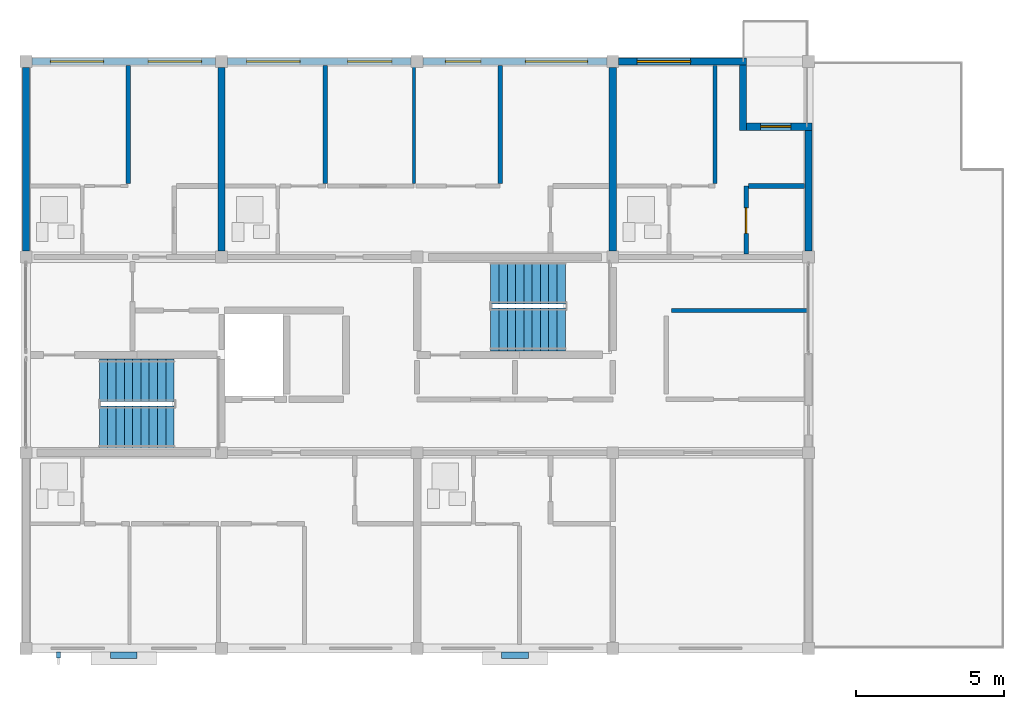
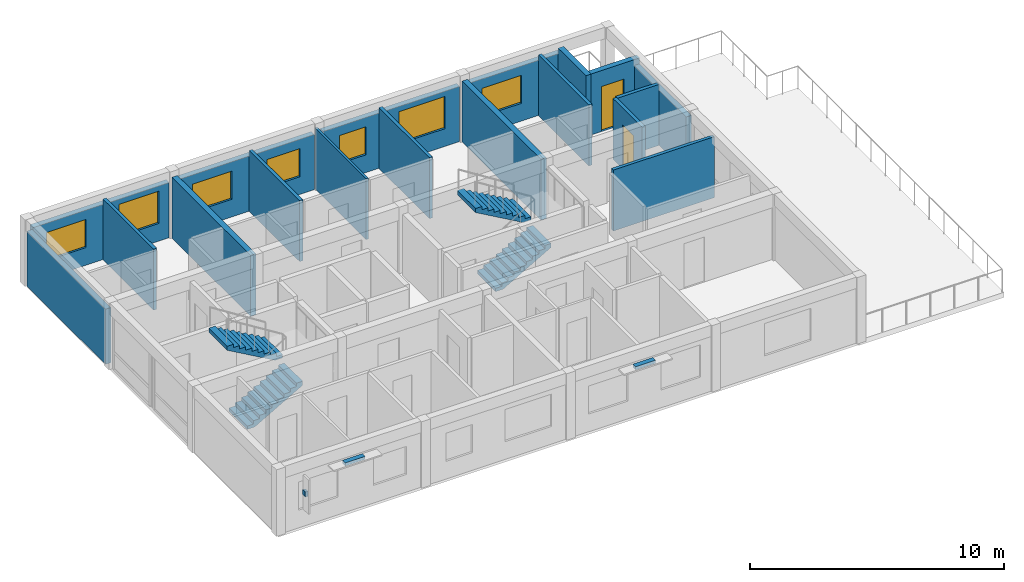
# One storey, part 10 of 12: 18 walls, 7 windows, 4 stair flights, 3 discrete accessories, 2 doors, 9 openings, 2 elements without a shape of their own.
"""IFC4 building model written with IfcOpenShell, lengths in metres."""

from ifc_helpers import new_model, si_unit, direction, frame, frame_2d, origin, origin_2d, place, context, subcontext, project, spatial, polyline, rectangle, outline, extrude, material, layer, layer_set, type_object, element, fill, aggregate, save


model = new_model("IFC4")

# Units and contexts
model_context = context("Model", 3, precision=1e-05, world=origin(), true_north=direction((0.0, 1.0)))
body_context = subcontext(model_context, "Body", "Model", "MODEL_VIEW")
ifc_project = project(units=[si_unit("LENGTHUNIT", "METRE"), si_unit("AREAUNIT", "SQUARE_METRE"), si_unit("VOLUMEUNIT", "CUBIC_METRE"), si_unit("PLANEANGLEUNIT", "RADIAN"), si_unit("MASSUNIT", "GRAM", prefix="KILO")], contexts=[model_context])

# Site, building, storey
site_placement = place(None, origin())
site = spatial("IfcSite", under=ifc_project, at=site_placement, CompositionType="ELEMENT")
building_placement = place(site_placement, origin())
building = spatial("IfcBuilding", under=site, at=building_placement, Name="Kernevlak Ridge Housing Community", CompositionType="ELEMENT")
storey_placement = place(building_placement, frame((0.0, 0.0, 56.39990234375)))
storey = spatial("IfcBuildingStorey", under=building, at=storey_placement, Name="L17", CompositionType="ELEMENT", Elevation=56.39990234375)

# Wall, openings, windows
ifc_material_1 = material(Name="Concrete block masonry M10", Category="masonry")
ifc_layer_1 = layer(ifc_material_1, 0.239990234375, Name="Concrete block masonry M10")
ifc_layer_set_1 = layer_set([ifc_layer_1], Name="Concrete block masonry M10")
wall_type_1 = type_object("IfcWallType", Name="EW-06", PredefinedType="STANDARD", material=ifc_layer_set_1)
wall_1_placement = place(storey_placement, frame((15.800048828125, 95.800048828125, 0.0), z_axis=(0.0, 0.0, 1.0), x_axis=(1.0, 0.0, 0.0)))
wall_1 = element("IfcWall", 1, at=wall_1_placement, inside=storey, type_object=wall_type_1, Name="Exterior wall EW-06 L17 273", PredefinedType="STANDARD", context=body_context, shape_type="SweptSolid", body=[
    extrude(rectangle(XDim=6.199951171875, YDim=0.239990234375, at=frame_2d((3.10009765625, 0.0))), origin(), (0.0, 0.0, 1.0), 2.650146484375),
])
opening_1_placement = place(wall_1_placement, frame((0.625, 0.0, 0.85009765625)))
opening_1 = element("IfcOpeningElement", 2, at=opening_1_placement, cuts=wall_1, Name="Opening WT-03", PredefinedType="OPENING", context=body_context, shape_type="SweptSolid", body=[
    extrude(rectangle(XDim=1.800048828125, YDim=1.35009765625, at=frame_2d((0.89990234375, 0.675048828125))), frame((0.0, 0.1298828125, 0.0), z_axis=(0.0, -1.0, 0.0), x_axis=(1.0, 0.0, 0.0)), (0.0, 0.0, 1.0), 0.260009765625),
])
opening_2_placement = place(wall_1_placement, frame((3.925048828125, 0.0, 0.85009765625)))
opening_2 = element("IfcOpeningElement", 3, at=opening_2_placement, cuts=wall_1, Name="Opening WT-04", PredefinedType="OPENING", context=body_context, shape_type="SweptSolid", body=[
    extrude(rectangle(XDim=1.800048828125, YDim=1.550048828125, at=frame_2d((0.89990234375, 0.77490234375))), frame((0.0, 0.1298828125, 0.0), z_axis=(0.0, -1.0, 0.0), x_axis=(1.0, 0.0, 0.0)), (0.0, 0.0, 1.0), 0.260009765625),
])
ifc_material_2 = material(Name="Aluminium EN AW-6060 anodised and laminated glass", Category="aluminium")
window_type_1 = type_object("IfcWindowType", Name="WT-03", PartitioningType="SINGLE_PANEL", PredefinedType="WINDOW", material=ifc_material_2)
window_1_placement = place(opening_1_placement, origin())
window_1 = element("IfcWindow", 4, at=window_1_placement, inside=storey, type_object=window_type_1, Name="Window WT-03 L17 220", OverallHeight=1.35009765625, OverallWidth=1.800048828125, PartitioningType="SINGLE_PANEL", PredefinedType="WINDOW", context=body_context, shape_type="SweptSolid", body=[
    extrude(rectangle(XDim=1.800048828125, YDim=1.35009765625, at=frame_2d((0.89990234375, 0.675048828125))), frame((0.0, 0.030029296875, 0.0), z_axis=(0.0, -1.0, 0.0), x_axis=(1.0, 0.0, 0.0)), (0.0, 0.0, 1.0), 0.06005859375),
])
fill(opening_1, window_1)
window_type_2 = type_object("IfcWindowType", Name="WT-04", PartitioningType="SINGLE_PANEL", PredefinedType="WINDOW", material=ifc_material_2)
window_2_placement = place(opening_2_placement, origin())
window_2 = element("IfcWindow", 5, at=window_2_placement, inside=storey, type_object=window_type_2, Name="Window WT-04 L17 221", OverallHeight=1.550048828125, OverallWidth=1.800048828125, PartitioningType="SINGLE_PANEL", PredefinedType="WINDOW", context=body_context, shape_type="SweptSolid", body=[
    extrude(rectangle(XDim=1.800048828125, YDim=1.550048828125, at=frame_2d((0.89990234375, 0.77490234375))), frame((0.0, 0.030029296875, 0.0), z_axis=(0.0, -1.0, 0.0), x_axis=(1.0, 0.0, 0.0)), (0.0, 0.0, 1.0), 0.06005859375),
])
fill(opening_2, window_2)

wall_2_placement = place(storey_placement, frame((22.39990234375, 95.800048828125, 0.0), z_axis=(0.0, 0.0, 1.0), x_axis=(1.0, 0.0, 0.0)))
wall_2 = element("IfcWall", 6, at=wall_2_placement, inside=storey, type_object=wall_type_1, Name="Exterior wall EW-06 L17 274", PredefinedType="STANDARD", context=body_context, shape_type="SweptSolid", body=[
    extrude(rectangle(XDim=6.2001953125, YDim=0.239990234375, at=frame_2d((3.10009765625, 0.0))), origin(), (0.0, 0.0, 1.0), 2.650146484375),
])
opening_3_placement = place(wall_2_placement, frame((0.64990234375, 0.0, 0.85009765625)))
opening_3 = element("IfcOpeningElement", 7, at=opening_3_placement, cuts=wall_2, Name="Opening WT-03", PredefinedType="OPENING", context=body_context, shape_type="SweptSolid", body=[
    extrude(rectangle(XDim=1.800048828125, YDim=1.35009765625, at=frame_2d((0.89990234375, 0.675048828125))), frame((0.0, 0.1298828125, 0.0), z_axis=(0.0, -1.0, 0.0), x_axis=(1.0, 0.0, 0.0)), (0.0, 0.0, 1.0), 0.260009765625),
])
opening_4_placement = place(wall_2_placement, frame((4.050048828125, 0.0, 0.85009765625)))
opening_4 = element("IfcOpeningElement", 8, at=opening_4_placement, cuts=wall_2, Name="Opening WT-02", PredefinedType="OPENING", context=body_context, shape_type="SweptSolid", body=[
    extrude(rectangle(XDim=1.5, YDim=1.35009765625, at=frame_2d((0.75, 0.675048828125))), frame((0.0, 0.1298828125, 0.0), z_axis=(0.0, -1.0, 0.0), x_axis=(1.0, 0.0, 0.0)), (0.0, 0.0, 1.0), 0.260009765625),
])
window_type_3 = type_object("IfcWindowType", Name="WT-02", PartitioningType="SINGLE_PANEL", PredefinedType="WINDOW", material=ifc_material_2)
window_3_placement = place(opening_4_placement, origin())
window_3 = element("IfcWindow", 9, at=window_3_placement, inside=storey, type_object=window_type_3, Name="Window WT-02 L17 223", OverallHeight=1.35009765625, OverallWidth=1.5, PartitioningType="SINGLE_PANEL", PredefinedType="WINDOW", context=body_context, shape_type="SweptSolid", body=[
    extrude(rectangle(XDim=1.5, YDim=1.35009765625, at=frame_2d((0.75, 0.675048828125))), frame((0.0, 0.030029296875, 0.0), z_axis=(0.0, -1.0, 0.0), x_axis=(1.0, 0.0, 0.0)), (0.0, 0.0, 1.0), 0.06005859375),
])
fill(opening_4, window_3)
window_4_placement = place(opening_3_placement, origin())
window_4 = element("IfcWindow", 10, at=window_4_placement, inside=storey, type_object=window_type_1, Name="Window WT-03 L17 222", OverallHeight=1.35009765625, OverallWidth=1.800048828125, PartitioningType="SINGLE_PANEL", PredefinedType="WINDOW", context=body_context, shape_type="SweptSolid", body=[
    extrude(rectangle(XDim=1.800048828125, YDim=1.35009765625, at=frame_2d((0.89990234375, 0.675048828125))), frame((0.0, 0.030029296875, 0.0), z_axis=(0.0, -1.0, 0.0), x_axis=(1.0, 0.0, 0.0)), (0.0, 0.0, 1.0), 0.06005859375),
])
fill(opening_3, window_4)

wall_3_placement = place(storey_placement, frame((29.0, 95.800048828125, 0.0), z_axis=(0.0, 0.0, 1.0), x_axis=(1.0, 0.0, 0.0)))
wall_3 = element("IfcWall", 11, at=wall_3_placement, inside=storey, type_object=wall_type_1, Name="Exterior wall EW-06 L17 275", PredefinedType="STANDARD", context=body_context, shape_type="SweptSolid", body=[
    extrude(rectangle(XDim=6.199951171875, YDim=0.239990234375, at=frame_2d((3.10009765625, 0.0))), origin(), (0.0, 0.0, 1.0), 2.650146484375),
])
opening_5_placement = place(wall_3_placement, frame((0.75, 0.0, 0.85009765625)))
opening_5 = element("IfcOpeningElement", 12, at=opening_5_placement, cuts=wall_3, Name="Opening WT-01", PredefinedType="OPENING", context=body_context, shape_type="SweptSolid", body=[
    extrude(rectangle(XDim=1.199951171875, YDim=1.35009765625, at=frame_2d((0.60009765625, 0.675048828125))), frame((0.0, 0.1298828125, 0.0), z_axis=(0.0, -1.0, 0.0), x_axis=(1.0, 0.0, 0.0)), (0.0, 0.0, 1.0), 0.260009765625),
])
opening_6_placement = place(wall_3_placement, frame((3.449951171875, 0.0, 0.85009765625)))
opening_6 = element("IfcOpeningElement", 13, at=opening_6_placement, cuts=wall_3, Name="Opening WT-05", PredefinedType="OPENING", context=body_context, shape_type="SweptSolid", body=[
    extrude(rectangle(XDim=2.10009765625, YDim=1.550048828125, at=frame_2d((1.050048828125, 0.77490234375))), frame((0.0, 0.1298828125, 0.0), z_axis=(0.0, -1.0, 0.0), x_axis=(1.0, 0.0, 0.0)), (0.0, 0.0, 1.0), 0.260009765625),
])
window_type_4 = type_object("IfcWindowType", Name="WT-01", PartitioningType="SINGLE_PANEL", PredefinedType="WINDOW", material=ifc_material_2)
window_5_placement = place(opening_5_placement, origin())
window_5 = element("IfcWindow", 14, at=window_5_placement, inside=storey, type_object=window_type_4, Name="Window WT-01 L17 224", OverallHeight=1.35009765625, OverallWidth=1.199951171875, PartitioningType="SINGLE_PANEL", PredefinedType="WINDOW", context=body_context, shape_type="SweptSolid", body=[
    extrude(rectangle(XDim=1.199951171875, YDim=1.35009765625, at=frame_2d((0.60009765625, 0.675048828125))), frame((0.0, 0.030029296875, 0.0), z_axis=(0.0, -1.0, 0.0), x_axis=(1.0, 0.0, 0.0)), (0.0, 0.0, 1.0), 0.06005859375),
])
fill(opening_5, window_5)
window_type_5 = type_object("IfcWindowType", Name="WT-05", PartitioningType="SINGLE_PANEL", PredefinedType="WINDOW", material=ifc_material_2)
window_6_placement = place(opening_6_placement, origin())
window_6 = element("IfcWindow", 15, at=window_6_placement, inside=storey, type_object=window_type_5, Name="Window WT-05 L17 225", OverallHeight=1.550048828125, OverallWidth=2.10009765625, PartitioningType="SINGLE_PANEL", PredefinedType="WINDOW", context=body_context, shape_type="SweptSolid", body=[
    extrude(rectangle(XDim=2.10009765625, YDim=1.550048828125, at=frame_2d((1.050048828125, 0.77490234375))), frame((0.0, 0.030029296875, 0.0), z_axis=(0.0, -1.0, 0.0), x_axis=(1.0, 0.0, 0.0)), (0.0, 0.0, 1.0), 0.06005859375),
])
fill(opening_6, window_6)

# Wall, opening, window
wall_4_placement = place(storey_placement, frame((35.60009765625, 95.800048828125, 0.0), z_axis=(0.0, 0.0, 1.0), x_axis=(1.0, 0.0, 0.0)))
wall_4 = element("IfcWall", 16, at=wall_4_placement, inside=storey, type_object=wall_type_1, Name="Exterior wall EW-06 L17 276", PredefinedType="STANDARD", context=body_context, shape_type="SweptSolid", body=[
    extrude(rectangle(XDim=4.31982421875, YDim=0.239990234375, at=frame_2d((2.159912109375, 0.0))), origin(), (0.0, 0.0, 1.0), 2.650146484375),
])
opening_7_placement = place(wall_4_placement, frame((0.625, 0.0, 0.85009765625)))
opening_7 = element("IfcOpeningElement", 17, at=opening_7_placement, cuts=wall_4, Name="Opening WT-03", PredefinedType="OPENING", context=body_context, shape_type="SweptSolid", body=[
    extrude(rectangle(XDim=1.800048828125, YDim=1.35009765625, at=frame_2d((0.89990234375, 0.675048828125))), frame((0.0, 0.1298828125, 0.0), z_axis=(0.0, -1.0, 0.0), x_axis=(1.0, 0.0, 0.0)), (0.0, 0.0, 1.0), 0.260009765625),
])
window_7_placement = place(opening_7_placement, origin())
window_7 = element("IfcWindow", 18, at=window_7_placement, inside=storey, type_object=window_type_1, Name="Window WT-03 L17 226", OverallHeight=1.35009765625, OverallWidth=1.800048828125, PartitioningType="SINGLE_PANEL", PredefinedType="WINDOW", context=body_context, shape_type="SweptSolid", body=[
    extrude(rectangle(XDim=1.800048828125, YDim=1.35009765625, at=frame_2d((0.89990234375, 0.675048828125))), frame((0.0, 0.030029296875, 0.0), z_axis=(0.0, -1.0, 0.0), x_axis=(1.0, 0.0, 0.0)), (0.0, 0.0, 1.0), 0.06005859375),
])
fill(opening_7, window_7)

# Wall
wall_5_placement = place(storey_placement, frame((39.800048828125, 95.679931640625, 0.0), z_axis=(0.0, 0.0, 1.0), x_axis=(0.0, -1.0, 0.0)))
element("IfcWall", 19, at=wall_5_placement, inside=storey, type_object=wall_type_1, Name="Exterior wall EW-06 L17 277", PredefinedType="STANDARD", context=body_context, shape_type="SweptSolid", body=[
    extrude(rectangle(XDim=2.199951171875, YDim=0.239990234375, at=frame_2d((1.10009765625, 0.0))), origin(), (0.0, 0.0, 1.0), 2.93017578125),
])

# Wall, opening, door
wall_6_placement = place(storey_placement, frame((39.919921875, 93.60009765625, 0.0), z_axis=(0.0, 0.0, 1.0), x_axis=(1.0, 0.0, 0.0)))
wall_6 = element("IfcWall", 20, at=wall_6_placement, inside=storey, type_object=wall_type_1, Name="Exterior wall EW-06 L17 278", PredefinedType="STANDARD", context=body_context, shape_type="SweptSolid", body=[
    extrude(rectangle(XDim=2.2001953125, YDim=0.239990234375, at=frame_2d((1.10009765625, 0.0))), origin(), (0.0, 0.0, 1.0), 2.93017578125),
])
opening_8_placement = place(wall_6_placement, frame((0.469970703125, 0.0, 0.0)))
opening_8 = element("IfcOpeningElement", 21, at=opening_8_placement, cuts=wall_6, Name="Opening D576", PredefinedType="OPENING", context=body_context, shape_type="SweptSolid", body=[
    extrude(rectangle(XDim=1.02001953125, YDim=2.159912109375, at=frame_2d((0.510009765625, 1.080078125))), frame((0.0, 0.1298828125, 0.0), z_axis=(0.0, -1.0, 0.0), x_axis=(1.0, 0.0, 0.0)), (0.0, 0.0, 1.0), 0.260009765625),
])
ifc_material_3 = material(Name="Aluminium EN AW-6060 and laminated safety glass", Category="aluminium")
door_type_1 = type_object("IfcDoorType", Name="DT-33", OperationType="NOTDEFINED", PredefinedType="DOOR", material=ifc_material_3)
door_1_placement = place(opening_8_placement, origin())
door_1 = element("IfcDoor", 22, at=door_1_placement, inside=storey, type_object=door_type_1, Name="Flat A1723 corner balcony glazed door D576", OperationType="SINGLE_SWING_RIGHT", OverallHeight=2.159912109375, OverallWidth=1.02001953125, PredefinedType="DOOR", context=body_context, shape_type="SweptSolid", body=[
    extrude(rectangle(XDim=1.02001953125, YDim=2.159912109375, at=frame_2d((0.510009765625, 1.080078125))), frame((0.0, 0.02490234375, 0.0), z_axis=(0.0, -1.0, 0.0), x_axis=(1.0, 0.0, 0.0)), (0.0, 0.0, 1.0), 0.050048828125),
])
fill(opening_8, door_1)

# Walls
wall_7_placement = place(storey_placement, frame((15.60009765625, 89.39990234375, 0.0), z_axis=(0.0, 0.0, 1.0), x_axis=(0.0, 1.0, 0.0)))
element("IfcWall", 23, at=wall_7_placement, inside=storey, type_object=wall_type_1, Name="Exterior wall EW-06 L17 280", PredefinedType="STANDARD", context=body_context, shape_type="SweptSolid", body=[
    extrude(rectangle(XDim=6.2001953125, YDim=0.239990234375, at=frame_2d((3.10009765625, 0.0))), origin(), (0.0, 0.0, 1.0), 2.650146484375),
])
wall_8_placement = place(storey_placement, frame((42.0, 89.39990234375, 0.0), z_axis=(0.0, 0.0, 1.0), x_axis=(0.0, 1.0, 0.0)))
element("IfcWall", 24, at=wall_8_placement, inside=storey, type_object=wall_type_1, Name="Exterior wall EW-06 L17 283", PredefinedType="STANDARD", context=body_context, shape_type="SweptSolid", body=[
    extrude(rectangle(XDim=4.080078125, YDim=0.239990234375, at=frame_2d((2.0400390625, 0.0))), origin(), (0.0, 0.0, 1.0), 2.650146484375),
])
ifc_layer_2 = layer(ifc_material_1, 0.14501953125, Name="Concrete block masonry M10")
ifc_layer_set_2 = layer_set([ifc_layer_2], Name="Concrete block masonry M10")
wall_type_2 = type_object("IfcWallType", Name="PW-03", PredefinedType="PARTITIONING", material=ifc_layer_set_2)
wall_9_placement = place(storey_placement, frame((37.3798828125, 87.39990234375, 0.0), z_axis=(0.0, 0.0, 1.0), x_axis=(1.0, 0.0, 0.0)))
element("IfcWall", 25, at=wall_9_placement, inside=storey, type_object=wall_type_2, Name="Interior wall PW-03 WAL-INT-L17-1088", PredefinedType="PARTITIONING", context=body_context, shape_type="SweptSolid", body=[
    extrude(rectangle(XDim=4.60009765625, YDim=0.14501953125, at=frame_2d((2.300048828125, 0.0))), origin(), (0.0, 0.0, 1.0), 2.93017578125),
])
wall_10_placement = place(storey_placement, frame((19.050048828125, 91.679931640625, 0.0), z_axis=(0.0, 0.0, 1.0), x_axis=(0.0, 1.0, 0.0)))
element("IfcWall", 26, at=wall_10_placement, inside=storey, type_object=wall_type_2, Name="Interior wall PW-03 WAL-INT-L17-1117", PredefinedType="PARTITIONING", context=body_context, shape_type="SweptSolid", body=[
    extrude(rectangle(XDim=3.989990234375, YDim=0.14501953125, at=frame_2d((1.9951171875, 0.0))), origin(), (0.0, 0.0, 1.0), 2.93017578125),
])
for number, where, z_axis, x_axis, name in (
    (27, (25.699951171875, 91.6826171875, 0.0), (0.0, 0.0, 1.0), (0.0, 1.0, 0.0), "Interior wall PW-03 WAL-INT-L17-1124"),
    (28, (31.60009765625, 91.6826171875, 0.0), (0.0, 0.0, 1.0), (0.0, 1.0, 0.0), "Interior wall PW-03 WAL-INT-L17-1128"),
    (29, (38.85009765625, 91.6826171875, 0.0), (0.0, 0.0, 1.0), (0.0, 1.0, 0.0), "Interior wall PW-03 WAL-INT-L17-1135"),
):
    element("IfcWall", number, at=place(storey_placement, frame(where, z_axis=z_axis, x_axis=x_axis)), inside=storey, type_object=wall_type_2, Name=name, PredefinedType="PARTITIONING", context=body_context, shape_type="SweptSolid", body=[
        extrude(rectangle(XDim=3.9873046875, YDim=0.14501953125, at=frame_2d((1.99365234375, 0.0))), origin(), (0.0, 0.0, 1.0), 2.93017578125),
    ])

# Wall, opening, door
ifc_material_4 = material(Name="Gypsum plasterboard EN 520", Category="gypsum")
ifc_layer_3 = layer(ifc_material_4, 0.155029296875, Name="Gypsum plasterboard EN 520")
ifc_layer_set_3 = layer_set([ifc_layer_3], Name="Gypsum plasterboard EN 520")
wall_type_3 = type_object("IfcWallType", Name="PW-05", PredefinedType="PARTITIONING", material=ifc_layer_set_3)
wall_11_placement = place(storey_placement, frame((39.89990234375, 89.297607421875, 0.0), z_axis=(0.0, 0.0, 1.0), x_axis=(0.0, 1.0, 0.0)))
wall_11 = element("IfcWall", 30, at=wall_11_placement, inside=storey, type_object=wall_type_3, Name="Interior wall PW-05 WAL-INT-L17-1132", PredefinedType="PARTITIONING", context=body_context, shape_type="SweptSolid", body=[
    extrude(rectangle(XDim=2.302490234375, YDim=0.155029296875, at=frame_2d((1.1513671875, 0.0))), origin(), (0.0, 0.0, 1.0), 2.93017578125),
])
opening_9_placement = place(wall_11_placement, frame((0.699951171875, 0.0, 0.0)))
opening_9 = element("IfcOpeningElement", 31, at=opening_9_placement, cuts=wall_11, Name="Opening D574", PredefinedType="OPENING", context=body_context, shape_type="SweptSolid", body=[
    extrude(rectangle(XDim=0.860107421875, YDim=2.1201171875, at=frame_2d((0.43017578125, 1.06005859375))), frame((0.0, 0.08740234375, 0.0), z_axis=(0.0, -1.0, 0.0), x_axis=(1.0, 0.0, 0.0)), (0.0, 0.0, 1.0), 0.175048828125),
])
ifc_material_5 = material(Name="Hardwood timber leaf", Category="wood")
door_type_2 = type_object("IfcDoorType", Name="DT-28", OperationType="NOTDEFINED", PredefinedType="DOOR", material=ifc_material_5)
door_2_placement = place(opening_9_placement, origin())
door_2 = element("IfcDoor", 32, at=door_2_placement, inside=storey, type_object=door_type_2, Name="Flat A1723 kitchen door D574", OperationType="SINGLE_SWING_RIGHT", OverallHeight=2.1201171875, OverallWidth=0.860107421875, PredefinedType="DOOR", context=body_context, shape_type="SweptSolid", body=[
    extrude(rectangle(XDim=0.860107421875, YDim=2.1201171875, at=frame_2d((0.43017578125, 1.06005859375))), frame((0.0, 0.02490234375, 0.0), z_axis=(0.0, -1.0, 0.0), x_axis=(1.0, 0.0, 0.0)), (0.0, 0.0, 1.0), 0.050048828125),
])
fill(opening_9, door_2)

# Walls
wall_12_placement = place(storey_placement, frame((39.987548828125, 91.60009765625, 0.0), z_axis=(0.0, 0.0, 1.0), x_axis=(1.0, 0.0, 0.0)))
element("IfcWall", 33, at=wall_12_placement, inside=storey, type_object=wall_type_3, Name="Interior wall PW-05 WAL-INT-L17-1133", PredefinedType="PARTITIONING", context=body_context, shape_type="SweptSolid", body=[
    extrude(rectangle(XDim=1.882568359375, YDim=0.155029296875, at=frame_2d((0.94140625, 0.0))), origin(), (0.0, 0.0, 1.0), 2.93017578125),
])
ifc_layer_4 = layer(ifc_material_4, 0.10498046875, Name="Gypsum plasterboard EN 520")
ifc_layer_set_4 = layer_set([ifc_layer_4], Name="Gypsum plasterboard EN 520")
wall_type_4 = type_object("IfcWallType", Name="PW-06", PredefinedType="PARTITIONING", material=ifc_layer_set_4)
wall_13_placement = place(storey_placement, frame((28.699951171875, 91.6826171875, 0.0), z_axis=(0.0, 0.0, 1.0), x_axis=(0.0, 1.0, 0.0)))
element("IfcWall", 34, at=wall_13_placement, inside=storey, type_object=wall_type_4, Name="Interior wall PW-06 WAL-INT-L17-1126", PredefinedType="PARTITIONING", context=body_context, shape_type="SweptSolid", body=[
    extrude(rectangle(XDim=4.037353515625, YDim=0.10498046875, at=frame_2d((2.0185546875, 0.0))), origin(), (0.0, 0.0, 1.0), 2.93017578125),
])
ifc_material_6 = material(Name="Concrete C40/50", Category="concrete")
ifc_layer_5 = layer(ifc_material_6, 0.25, Name="Concrete C40/50")
ifc_layer_set_5 = layer_set([ifc_layer_5], Name="Concrete C40/50")
wall_type_5 = type_object("IfcWallType", Name="SW-03", PredefinedType="SHEAR", material=ifc_layer_set_5)
for number, where, z_axis, x_axis, name in (
    (35, (22.199951171875, 89.39990234375, 0.0), (0.0, 0.0, 1.0), (0.0, 1.0, 0.0), "Shear wall SW-03 Block A L17 189"),
    (36, (35.39990234375, 89.39990234375, 0.0), (0.0, 0.0, 1.0), (0.0, 1.0, 0.0), "Shear wall SW-03 Block A L17 190"),
):
    element("IfcWall", number, at=place(storey_placement, frame(where, z_axis=z_axis, x_axis=x_axis)), inside=storey, type_object=wall_type_5, Name=name, PredefinedType="SHEAR", context=body_context, shape_type="SweptSolid", body=[
        extrude(rectangle(XDim=6.2001953125, YDim=0.25, at=frame_2d((3.10009765625, 0.0))), origin(), (0.0, 0.0, 1.0), 2.93017578125),
    ])

# Stair, stair flights
ifc_material_7 = material(Name="Concrete C35/45", Category="concrete")
stair_type = type_object("IfcStairType", Name="SR-06", PredefinedType="HALF_TURN_STAIR", material=ifc_material_7)
stair_1_placement = place(storey_placement, origin())
stair_1 = element("IfcStair", 37, at=stair_1_placement, inside=storey, type_object=stair_type, Name="Stair ST-A1 L17", PredefinedType="HALF_TURN_STAIR")
stair_flight_type = type_object("IfcStairFlightType", Name="SF-06", PredefinedType="STRAIGHT", material=ifc_material_7)
stair_flight_1_placement = place(storey_placement, frame((18.080078125, 83.4599609375, 0.0), z_axis=(0.0, 0.0, 1.0), x_axis=(1.0, 0.0, 0.0)))
stair_flight_1 = element("IfcStairFlight", 38, at=stair_flight_1_placement, type_object=stair_flight_type, Name="SR-06 flight 1", NumberOfRisers=10, NumberOfTreads=9, PredefinedType="STRAIGHT", RiserHeight=0.16, TreadLength=0.28, context=body_context, shape_type="SweptSolid", body=[
    extrude(outline(polyline([(0.0, 0.0), (0.0, 0.159912109375), (0.280029296875, 0.159912109375), (0.280029296875, 0.320068359375), (0.56005859375, 0.320068359375), (0.56005859375, 0.47998046875), (0.840087890625, 0.47998046875), (0.840087890625, 0.639892578125), (1.1201171875, 0.639892578125), (1.1201171875, 0.800048828125), (1.39990234375, 0.800048828125), (1.39990234375, 0.9599609375), (1.679931640625, 0.9599609375), (1.679931640625, 1.1201171875), (1.9599609375, 1.1201171875), (1.9599609375, 1.280029296875), (2.239990234375, 1.280029296875), (2.239990234375, 1.43994140625), (2.52001953125, 1.43994140625), (2.52001953125, 1.60009765625), (2.52001953125, 1.244384765625), (0.342529296875, 0.0), (0.0, 0.0)])), frame((0.0, 0.719970703125, 0.0), z_axis=(0.0, -1.0, 0.0), x_axis=(1.0, 0.0, 0.0)), (0.0, 0.0, 1.0), 1.43994140625),
])
stair_flight_2_placement = place(storey_placement, frame((20.60009765625, 85.0400390625, 1.60009765625), z_axis=(0.0, 0.0, 1.0), x_axis=(-1.0, 0.0, 0.0)))
stair_flight_2 = element("IfcStairFlight", 39, at=stair_flight_2_placement, type_object=stair_flight_type, Name="SR-06 flight 2", NumberOfRisers=10, NumberOfTreads=9, PredefinedType="STRAIGHT", RiserHeight=0.16, TreadLength=0.28, context=body_context, shape_type="SweptSolid", body=[
    extrude(outline(polyline([(0.0, 0.0), (0.0, 0.159912109375), (0.280029296875, 0.159912109375), (0.280029296875, 0.320068359375), (0.56005859375, 0.320068359375), (0.56005859375, 0.47998046875), (0.840087890625, 0.47998046875), (0.840087890625, 0.639892578125), (1.1201171875, 0.639892578125), (1.1201171875, 0.800048828125), (1.39990234375, 0.800048828125), (1.39990234375, 0.9599609375), (1.679931640625, 0.9599609375), (1.679931640625, 1.1201171875), (1.9599609375, 1.1201171875), (1.9599609375, 1.280029296875), (2.239990234375, 1.280029296875), (2.239990234375, 1.43994140625), (2.52001953125, 1.43994140625), (2.52001953125, 1.60009765625), (2.52001953125, 1.244384765625), (0.342529296875, 0.0), (0.0, 0.0)])), frame((0.0, 0.719970703125, 0.0), z_axis=(0.0, -1.0, 0.0), x_axis=(1.0, 0.0, 0.0)), (0.0, 0.0, 1.0), 1.43994140625),
])
aggregate(stair_1, [stair_flight_1, stair_flight_2])

stair_2_placement = place(storey_placement, origin())
stair_2 = element("IfcStair", 40, at=stair_2_placement, inside=storey, type_object=stair_type, Name="Stair ST-A2 L17", PredefinedType="HALF_TURN_STAIR")
stair_flight_3_placement = place(storey_placement, frame((31.280029296875, 86.760009765625, 0.0), z_axis=(0.0, 0.0, 1.0), x_axis=(1.0, 0.0, 0.0)))
stair_flight_3 = element("IfcStairFlight", 41, at=stair_flight_3_placement, type_object=stair_flight_type, Name="SR-06 flight 1", NumberOfRisers=10, NumberOfTreads=9, PredefinedType="STRAIGHT", RiserHeight=0.16, TreadLength=0.28, context=body_context, shape_type="SweptSolid", body=[
    extrude(outline(polyline([(0.0, 0.0), (0.0, 0.159912109375), (0.280029296875, 0.159912109375), (0.280029296875, 0.320068359375), (0.56005859375, 0.320068359375), (0.56005859375, 0.47998046875), (0.840087890625, 0.47998046875), (0.840087890625, 0.639892578125), (1.1201171875, 0.639892578125), (1.1201171875, 0.800048828125), (1.39990234375, 0.800048828125), (1.39990234375, 0.9599609375), (1.679931640625, 0.9599609375), (1.679931640625, 1.1201171875), (1.9599609375, 1.1201171875), (1.9599609375, 1.280029296875), (2.239990234375, 1.280029296875), (2.239990234375, 1.43994140625), (2.52001953125, 1.43994140625), (2.52001953125, 1.60009765625), (2.52001953125, 1.244384765625), (0.342529296875, 0.0), (0.0, 0.0)])), frame((0.0, 0.719970703125, 0.0), z_axis=(0.0, -1.0, 0.0), x_axis=(1.0, 0.0, 0.0)), (0.0, 0.0, 1.0), 1.43994140625),
])
stair_flight_4_placement = place(storey_placement, frame((33.800048828125, 88.340087890625, 1.60009765625), z_axis=(0.0, 0.0, 1.0), x_axis=(-1.0, 0.0, 0.0)))
stair_flight_4 = element("IfcStairFlight", 42, at=stair_flight_4_placement, type_object=stair_flight_type, Name="SR-06 flight 2", NumberOfRisers=10, NumberOfTreads=9, PredefinedType="STRAIGHT", RiserHeight=0.16, TreadLength=0.28, context=body_context, shape_type="SweptSolid", body=[
    extrude(outline(polyline([(0.0, 0.0), (0.0, 0.159912109375), (0.280029296875, 0.159912109375), (0.280029296875, 0.320068359375), (0.56005859375, 0.320068359375), (0.56005859375, 0.47998046875), (0.840087890625, 0.47998046875), (0.840087890625, 0.639892578125), (1.1201171875, 0.639892578125), (1.1201171875, 0.800048828125), (1.39990234375, 0.800048828125), (1.39990234375, 0.9599609375), (1.679931640625, 0.9599609375), (1.679931640625, 1.1201171875), (1.9599609375, 1.1201171875), (1.9599609375, 1.280029296875), (2.239990234375, 1.280029296875), (2.239990234375, 1.43994140625), (2.52001953125, 1.43994140625), (2.52001953125, 1.60009765625), (2.52001953125, 1.244384765625), (0.342529296875, 0.0), (0.0, 0.0)])), frame((0.0, 0.719970703125, 0.0), z_axis=(0.0, -1.0, 0.0), x_axis=(1.0, 0.0, 0.0)), (0.0, 0.0, 1.0), 1.43994140625),
])
aggregate(stair_2, [stair_flight_3, stair_flight_4])

# Discrete accessories
ifc_material_8 = material(Name="Steel S355 galvanised", Category="steel")
discrete_accessory_type = type_object("IfcDiscreteAccessoryType", Name="BK-01", PredefinedType="BRACKET", material=ifc_material_8)
discrete_accessory_1_placement = place(storey_placement, frame((18.89990234375, 75.77001953125, 2.41015625), z_axis=(0.0, 0.0, 1.0), x_axis=(1.0, 0.0, 0.0)))
element("IfcDiscreteAccessory", 43, at=discrete_accessory_1_placement, inside=storey, type_object=discrete_accessory_type, Name="Sunshade steel bracket 15", PredefinedType="BRACKET", context=body_context, shape_type="SweptSolid", body=[
    extrude(rectangle(XDim=0.89990234375, YDim=0.219970703125, at=origin_2d()), origin(), (0.0, 0.0, 1.0), 0.139892578125),
])
discrete_accessory_2_placement = place(storey_placement, frame((16.699951171875, 75.780029296875, 1.5302734375), z_axis=(0.0, 0.0, 1.0), x_axis=(1.0, 0.0, 0.0)))
element("IfcDiscreteAccessory", 44, at=discrete_accessory_2_placement, inside=storey, type_object=discrete_accessory_type, Name="Vertical fin fixing bracket 15", PredefinedType="BRACKET", context=body_context, shape_type="SweptSolid", body=[
    extrude(rectangle(XDim=0.1201171875, YDim=0.199951171875, at=origin_2d()), origin(), (0.0, 0.0, 1.0), 0.239990234375),
])
discrete_accessory_3_placement = place(storey_placement, frame((32.10009765625, 75.77001953125, 2.41015625), z_axis=(0.0, 0.0, 1.0), x_axis=(1.0, 0.0, 0.0)))
element("IfcDiscreteAccessory", 45, at=discrete_accessory_3_placement, inside=storey, type_object=discrete_accessory_type, Name="Sunshade steel bracket 16", PredefinedType="BRACKET", context=body_context, shape_type="SweptSolid", body=[
    extrude(rectangle(XDim=0.89990234375, YDim=0.219970703125, at=origin_2d()), origin(), (0.0, 0.0, 1.0), 0.139892578125),
])

save(model, "model.ifc")
